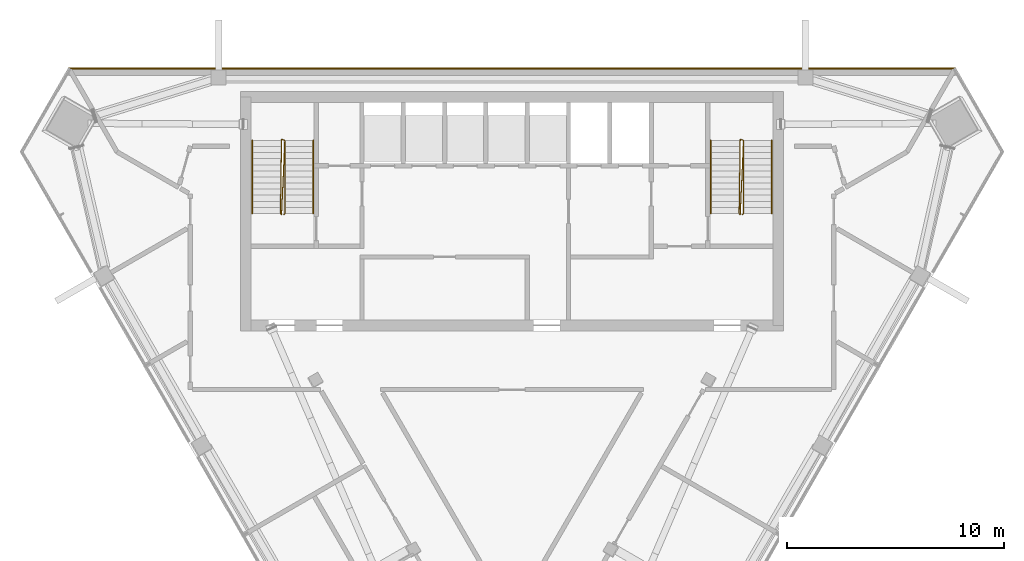
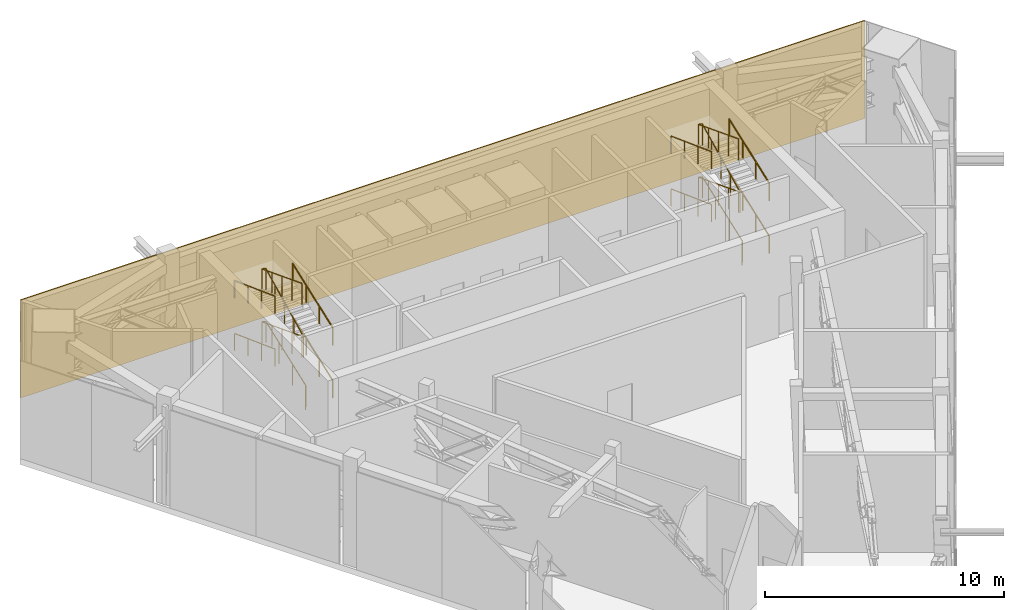
# One storey, part 12 of 13: 10 railings, 1 covering.
"""IFC4 building model written with IfcOpenShell, lengths in metres."""

from ifc_helpers import new_model, si_unit, direction, frame, frame_2d, origin, origin_2d, place, context, subcontext, project, spatial, rectangle, circle, extrude, material, layer, layer_set, type_object, element, save


model = new_model("IFC4")

# Units and contexts
model_context = context("Model", 3, precision=1e-05, world=origin(), true_north=direction((0.0, 1.0)))
body_context = subcontext(model_context, "Body", "Model", "MODEL_VIEW")
ifc_project = project(units=[si_unit("LENGTHUNIT", "METRE"), si_unit("AREAUNIT", "SQUARE_METRE"), si_unit("VOLUMEUNIT", "CUBIC_METRE"), si_unit("PLANEANGLEUNIT", "RADIAN"), si_unit("MASSUNIT", "GRAM", prefix="KILO")], contexts=[model_context])

# Site, building, storey
site_placement = place(None, origin())
site = spatial("IfcSite", under=ifc_project, at=site_placement, CompositionType="ELEMENT")
building_placement = place(site_placement, origin())
building = spatial("IfcBuilding", under=site, at=building_placement, Name="Altiplano Prism Tower", CompositionType="ELEMENT")
storey_placement = place(building_placement, frame((0.0, 0.0, 286.0)))
storey = spatial("IfcBuildingStorey", under=building, at=storey_placement, Name="L74", CompositionType="ELEMENT", Elevation=286.0)

# Railings
ifc_material_1 = material(Name="Steel S355", Category="steel")
railing_type_1 = type_object("IfcRailingType", Name="Stair guard 1100", PredefinedType="GUARDRAIL", material=ifc_material_1)
railing_1_placement = place(storey_placement, frame((74.5, 98.25, 0.0)))
element("IfcRailing", 1, at=railing_1_placement, inside=storey, type_object=railing_type_1, Name="L74 ST1 stair guard 1", PredefinedType="GUARDRAIL", context=body_context, shape_type="SweptSolid", body=[
    extrude(circle(Radius=0.02392578125, at=origin_2d()), frame((0.0, 0.0, 1.076171875), z_axis=(0.398471624337, 0.398471624337, 0.826099708992), x_axis=(-0.707106781187, 0.707106781187, 0.0)), (0.0, 0.0, 1.0), 0.12548828125),
    extrude(circle(Radius=0.02392578125, at=origin_2d()), frame((0.050048828125, 0.050048828125, 1.1796875), z_axis=(0.0, 0.937571951407, 0.347791368401), x_axis=(-1.0, 0.0, 0.0)), (0.0, 0.0, 1.0), 3.58349609375),
    extrude(circle(Radius=0.02392578125, at=origin_2d()), frame((0.050048828125, 3.409912109375, 2.42626953125), z_axis=(-0.948683298051, 0.316227766017, 0.0), x_axis=(-0.316227766017, -0.948683298051, 0.0)), (0.0, 0.0, 1.0), 0.158203125),
    extrude(circle(Radius=0.02392578125, at=origin_2d()), frame((-0.10009765625, 3.4599609375, 2.42626953125), z_axis=(-0.013579238249, -0.929711865806, 0.368037295485), x_axis=(0.999893351539, -0.01460429897, 0.0)), (0.0, 0.0, 1.0), 3.667724609375),
    extrude(circle(Radius=0.02392578125, at=origin_2d()), frame((-0.14990234375, 0.050048828125, 3.77587890625), z_axis=(0.705375805398, -0.708833529934, 0.0), x_axis=(0.708833529934, 0.705375805398, 0.0)), (0.0, 0.0, 1.0), 0.070556640625),
    extrude(circle(Radius=0.02392578125, at=origin_2d()), frame((-0.10009765625, 0.0, 3.77587890625), z_axis=(0.040905914243, 0.928996592253, 0.367820659781), x_axis=(-0.99903198295, 0.043989737919, 0.0)), (0.0, 0.0, 1.0), 3.670654296875),
    extrude(circle(Radius=0.02392578125, at=origin_2d()), frame((0.050048828125, 3.409912109375, 5.1259765625), z_axis=(-0.948683298051, 0.316227766017, 0.0), x_axis=(-0.316227766017, -0.948683298051, 0.0)), (0.0, 0.0, 1.0), 0.158203125),
    extrude(circle(Radius=0.02392578125, at=origin_2d()), frame((-0.10009765625, 3.4599609375, 5.1259765625), z_axis=(-0.013579238249, -0.929711865806, 0.368037295485), x_axis=(0.999893351539, -0.01460429897, 0.0)), (0.0, 0.0, 1.0), 3.667724609375),
    extrude(circle(Radius=0.02099609375, at=origin_2d()), origin(), (0.0, 0.0, 1.0), 1.052001953125),
    extrude(circle(Radius=0.02099609375, at=origin_2d()), frame((0.050048828125, 0.050048828125, 0.103759765625)), (0.0, 0.0, 1.0), 1.052001953125),
    extrude(circle(Radius=0.02099609375, at=origin_2d()), frame((0.050048828125, 1.169921875, 0.519287109375)), (0.0, 0.0, 1.0), 1.052001953125),
    extrude(circle(Radius=0.02099609375, at=origin_2d()), frame((0.050048828125, 2.2900390625, 0.9345703125)), (0.0, 0.0, 1.0), 1.052001953125),
    extrude(circle(Radius=0.02099609375, at=origin_2d()), frame((0.050048828125, 3.409912109375, 1.35009765625)), (0.0, 0.0, 1.0), 1.052001953125),
    extrude(circle(Radius=0.02099609375, at=origin_2d()), frame((-0.10009765625, 3.4599609375, 1.35009765625)), (0.0, 0.0, 1.0), 1.052001953125),
    extrude(circle(Radius=0.02099609375, at=origin_2d()), frame((-0.112548828125, 2.607421875, 1.6875)), (0.0, 0.0, 1.0), 1.052001953125),
    extrude(circle(Radius=0.02099609375, at=origin_2d()), frame((-0.125, 1.7548828125, 2.02490234375)), (0.0, 0.0, 1.0), 1.052001953125),
    extrude(circle(Radius=0.02099609375, at=origin_2d()), frame((-0.137451171875, 0.902587890625, 2.362548828125)), (0.0, 0.0, 1.0), 1.052001953125),
    extrude(circle(Radius=0.02099609375, at=origin_2d()), frame((-0.14990234375, 0.050048828125, 2.699951171875)), (0.0, 0.0, 1.0), 1.052001953125),
    extrude(circle(Radius=0.02099609375, at=origin_2d()), frame((-0.10009765625, 0.0, 2.699951171875)), (0.0, 0.0, 1.0), 1.052001953125),
    extrude(circle(Radius=0.02099609375, at=origin_2d()), frame((-0.0625, 0.8525390625, 3.03759765625)), (0.0, 0.0, 1.0), 1.052001953125),
    extrude(circle(Radius=0.02099609375, at=origin_2d()), frame((-0.02490234375, 1.705078125, 3.375)), (0.0, 0.0, 1.0), 1.052001953125),
    extrude(circle(Radius=0.02099609375, at=origin_2d()), frame((0.012451171875, 2.557373046875, 3.71240234375)), (0.0, 0.0, 1.0), 1.052001953125),
    extrude(circle(Radius=0.02099609375, at=origin_2d()), frame((0.050048828125, 3.409912109375, 4.050048828125)), (0.0, 0.0, 1.0), 1.052001953125),
    extrude(circle(Radius=0.02099609375, at=origin_2d()), frame((-0.10009765625, 3.4599609375, 4.050048828125)), (0.0, 0.0, 1.0), 1.052001953125),
    extrude(circle(Radius=0.02099609375, at=origin_2d()), frame((-0.112548828125, 2.607421875, 4.387451171875)), (0.0, 0.0, 1.0), 1.052001953125),
    extrude(circle(Radius=0.02099609375, at=origin_2d()), frame((-0.125, 1.7548828125, 4.72509765625)), (0.0, 0.0, 1.0), 1.052001953125),
    extrude(circle(Radius=0.02099609375, at=origin_2d()), frame((-0.137451171875, 0.902587890625, 5.0625)), (0.0, 0.0, 1.0), 1.052001953125),
    extrude(circle(Radius=0.02099609375, at=origin_2d()), frame((-0.14990234375, 0.050048828125, 5.39990234375)), (0.0, 0.0, 1.0), 1.052001953125),
])
railing_2_placement = place(storey_placement, frame((95.60009765625, 98.25, 0.0)))
element("IfcRailing", 2, at=railing_2_placement, inside=storey, type_object=railing_type_1, Name="L74 ST2 stair guard 1", PredefinedType="GUARDRAIL", context=body_context, shape_type="SweptSolid", body=[
    extrude(circle(Radius=0.02392578125, at=origin_2d()), frame((0.0, 0.0, 1.076171875), z_axis=(0.396834591399, 0.398779859004, 0.826738732081), x_axis=(-0.708833529934, 0.705375805398, 0.0)), (0.0, 0.0, 1.0), 0.12548828125),
    extrude(circle(Radius=0.02392578125, at=origin_2d()), frame((0.0498046875, 0.050048828125, 1.1796875), z_axis=(0.0, 0.937571951407, 0.347791368401), x_axis=(-1.0, 0.0, 0.0)), (0.0, 0.0, 1.0), 3.58349609375),
    extrude(circle(Radius=0.02392578125, at=origin_2d()), frame((0.0498046875, 3.409912109375, 2.42626953125), z_axis=(-0.948528701346, 0.316691178788, 0.0), x_axis=(-0.316691178788, -0.948528701346, 0.0)), (0.0, 0.0, 1.0), 0.157958984375),
    extrude(circle(Radius=0.02392578125, at=origin_2d()), frame((-0.10009765625, 3.4599609375, 2.42626953125), z_axis=(-0.013645790778, -0.92971102338, 0.368036962001), x_axis=(0.999892303572, -0.014675873289, 0.0)), (0.0, 0.0, 1.0), 3.667724609375),
    extrude(circle(Radius=0.02392578125, at=origin_2d()), frame((-0.150146484375, 0.050048828125, 3.77587890625), z_axis=(0.707106781187, -0.707106781187, 0.0), x_axis=(0.707106781187, 0.707106781187, 0.0)), (0.0, 0.0, 1.0), 0.07080078125),
    extrude(circle(Radius=0.02392578125, at=origin_2d()), frame((-0.10009765625, 0.0, 3.77587890625), z_axis=(0.040839511588, 0.928999117825, 0.367821659739), x_axis=(-0.999035123863, 0.043918347967, 0.0)), (0.0, 0.0, 1.0), 3.67041015625),
    extrude(circle(Radius=0.02392578125, at=origin_2d()), frame((0.0498046875, 3.409912109375, 5.1259765625), z_axis=(-0.948528701346, 0.316691178788, 0.0), x_axis=(-0.316691178788, -0.948528701346, 0.0)), (0.0, 0.0, 1.0), 0.157958984375),
    extrude(circle(Radius=0.02392578125, at=origin_2d()), frame((-0.10009765625, 3.4599609375, 5.1259765625), z_axis=(-0.013645790778, -0.92971102338, 0.368036962001), x_axis=(0.999892303572, -0.014675873289, 0.0)), (0.0, 0.0, 1.0), 3.667724609375),
    extrude(circle(Radius=0.02099609375, at=origin_2d()), origin(), (0.0, 0.0, 1.0), 1.052001953125),
    extrude(circle(Radius=0.02099609375, at=origin_2d()), frame((0.0498046875, 0.050048828125, 0.103759765625)), (0.0, 0.0, 1.0), 1.052001953125),
    extrude(circle(Radius=0.02099609375, at=origin_2d()), frame((0.0498046875, 1.169921875, 0.519287109375)), (0.0, 0.0, 1.0), 1.052001953125),
    extrude(circle(Radius=0.02099609375, at=origin_2d()), frame((0.0498046875, 2.2900390625, 0.9345703125)), (0.0, 0.0, 1.0), 1.052001953125),
    extrude(circle(Radius=0.02099609375, at=origin_2d()), frame((0.0498046875, 3.409912109375, 1.35009765625)), (0.0, 0.0, 1.0), 1.052001953125),
    extrude(circle(Radius=0.02099609375, at=origin_2d()), frame((-0.10009765625, 3.4599609375, 1.35009765625)), (0.0, 0.0, 1.0), 1.052001953125),
    extrude(circle(Radius=0.02099609375, at=origin_2d()), frame((-0.112548828125, 2.607421875, 1.6875)), (0.0, 0.0, 1.0), 1.052001953125),
    extrude(circle(Radius=0.02099609375, at=origin_2d()), frame((-0.125, 1.7548828125, 2.02490234375)), (0.0, 0.0, 1.0), 1.052001953125),
    extrude(circle(Radius=0.02099609375, at=origin_2d()), frame((-0.1376953125, 0.902587890625, 2.362548828125)), (0.0, 0.0, 1.0), 1.052001953125),
    extrude(circle(Radius=0.02099609375, at=origin_2d()), frame((-0.150146484375, 0.050048828125, 2.699951171875)), (0.0, 0.0, 1.0), 1.052001953125),
    extrude(circle(Radius=0.02099609375, at=origin_2d()), frame((-0.10009765625, 0.0, 2.699951171875)), (0.0, 0.0, 1.0), 1.052001953125),
    extrude(circle(Radius=0.02099609375, at=origin_2d()), frame((-0.0625, 0.8525390625, 3.03759765625)), (0.0, 0.0, 1.0), 1.052001953125),
    extrude(circle(Radius=0.02099609375, at=origin_2d()), frame((-0.025146484375, 1.705078125, 3.375)), (0.0, 0.0, 1.0), 1.052001953125),
    extrude(circle(Radius=0.02099609375, at=origin_2d()), frame((0.01220703125, 2.557373046875, 3.71240234375)), (0.0, 0.0, 1.0), 1.052001953125),
    extrude(circle(Radius=0.02099609375, at=origin_2d()), frame((0.0498046875, 3.409912109375, 4.050048828125)), (0.0, 0.0, 1.0), 1.052001953125),
    extrude(circle(Radius=0.02099609375, at=origin_2d()), frame((-0.10009765625, 3.4599609375, 4.050048828125)), (0.0, 0.0, 1.0), 1.052001953125),
    extrude(circle(Radius=0.02099609375, at=origin_2d()), frame((-0.112548828125, 2.607421875, 4.387451171875)), (0.0, 0.0, 1.0), 1.052001953125),
    extrude(circle(Radius=0.02099609375, at=origin_2d()), frame((-0.125, 1.7548828125, 4.72509765625)), (0.0, 0.0, 1.0), 1.052001953125),
    extrude(circle(Radius=0.02099609375, at=origin_2d()), frame((-0.1376953125, 0.902587890625, 5.0625)), (0.0, 0.0, 1.0), 1.052001953125),
    extrude(circle(Radius=0.02099609375, at=origin_2d()), frame((-0.150146484375, 0.050048828125, 5.39990234375)), (0.0, 0.0, 1.0), 1.052001953125),
])
railing_type_2 = type_object("IfcRailingType", Name="Stair handrail 900", PredefinedType="HANDRAIL", material=ifc_material_1)
railing_3_placement = place(storey_placement, frame((75.85009765625, 98.300048828125, 0.103759765625)))
element("IfcRailing", 3, at=railing_3_placement, inside=storey, type_object=railing_type_2, Name="L74 ST1 stair handrail 1", PredefinedType="HANDRAIL", context=body_context, shape_type="SweptSolid", body=[
    extrude(circle(Radius=0.02392578125, at=origin_2d()), frame((0.0, 0.0, 0.8759765625), z_axis=(0.0, 0.937571951407, 0.347791368401), x_axis=(-1.0, 0.0, 0.0)), (0.0, 0.0, 1.0), 3.58349609375),
    extrude(circle(Radius=0.02099609375, at=origin_2d()), origin(), (0.0, 0.0, 1.0), 0.851806640625),
    extrude(circle(Radius=0.02099609375, at=origin_2d()), frame((0.0, 1.119873046875, 0.41552734375)), (0.0, 0.0, 1.0), 0.851806640625),
    extrude(circle(Radius=0.02099609375, at=origin_2d()), frame((0.0, 2.239990234375, 0.830810546875)), (0.0, 0.0, 1.0), 0.851806640625),
    extrude(circle(Radius=0.02099609375, at=origin_2d()), frame((0.0, 3.35986328125, 1.246337890625)), (0.0, 0.0, 1.0), 0.851806640625),
])
railing_4_placement = place(storey_placement, frame((73.050048828125, 101.659912109375, 1.453857421875)))
element("IfcRailing", 4, at=railing_4_placement, inside=storey, type_object=railing_type_2, Name="L74 ST1 stair handrail 2", PredefinedType="HANDRAIL", context=body_context, shape_type="SweptSolid", body=[
    extrude(circle(Radius=0.02392578125, at=origin_2d()), frame((0.0, 0.0, 0.8759765625), z_axis=(0.0, -0.937594165028, 0.347731479313), x_axis=(1.0, 0.0, 0.0)), (0.0, 0.0, 1.0), 3.58349609375),
    extrude(circle(Radius=0.02099609375, at=origin_2d()), origin(), (0.0, 0.0, 1.0), 0.851806640625),
    extrude(circle(Radius=0.02099609375, at=origin_2d()), frame((0.0, -1.119873046875, 0.415283203125)), (0.0, 0.0, 1.0), 0.851806640625),
    extrude(circle(Radius=0.02099609375, at=origin_2d()), frame((0.0, -2.239990234375, 0.830810546875)), (0.0, 0.0, 1.0), 0.851806640625),
    extrude(circle(Radius=0.02099609375, at=origin_2d()), frame((0.0, -3.35986328125, 1.24609375)), (0.0, 0.0, 1.0), 0.851806640625),
])
railing_5_placement = place(storey_placement, frame((75.85009765625, 98.300048828125, 2.803955078125)))
element("IfcRailing", 5, at=railing_5_placement, inside=storey, type_object=railing_type_2, Name="L74 ST1 stair handrail 3", PredefinedType="HANDRAIL", context=body_context, shape_type="SweptSolid", body=[
    extrude(circle(Radius=0.02392578125, at=origin_2d()), frame((0.0, 0.0, 0.8759765625), z_axis=(0.0, 0.937594165028, 0.347731479313), x_axis=(-1.0, 0.0, 0.0)), (0.0, 0.0, 1.0), 3.58349609375),
    extrude(circle(Radius=0.02099609375, at=origin_2d()), origin(), (0.0, 0.0, 1.0), 0.851806640625),
    extrude(circle(Radius=0.02099609375, at=origin_2d()), frame((0.0, 1.119873046875, 0.415283203125)), (0.0, 0.0, 1.0), 0.851806640625),
    extrude(circle(Radius=0.02099609375, at=origin_2d()), frame((0.0, 2.239990234375, 0.830810546875)), (0.0, 0.0, 1.0), 0.851806640625),
    extrude(circle(Radius=0.02099609375, at=origin_2d()), frame((0.0, 3.35986328125, 1.24609375)), (0.0, 0.0, 1.0), 0.851806640625),
])
railing_6_placement = place(storey_placement, frame((73.050048828125, 101.659912109375, 4.15380859375)))
element("IfcRailing", 6, at=railing_6_placement, inside=storey, type_object=railing_type_2, Name="L74 ST1 stair handrail 4", PredefinedType="HANDRAIL", context=body_context, shape_type="SweptSolid", body=[
    extrude(circle(Radius=0.02392578125, at=origin_2d()), frame((0.0, 0.0, 0.8759765625), z_axis=(0.0, -0.937594165028, 0.347731479313), x_axis=(1.0, 0.0, 0.0)), (0.0, 0.0, 1.0), 3.58349609375),
    extrude(circle(Radius=0.02099609375, at=origin_2d()), origin(), (0.0, 0.0, 1.0), 0.851806640625),
    extrude(circle(Radius=0.02099609375, at=origin_2d()), frame((0.0, -1.119873046875, 0.415283203125)), (0.0, 0.0, 1.0), 0.851806640625),
    extrude(circle(Radius=0.02099609375, at=origin_2d()), frame((0.0, -2.239990234375, 0.830810546875)), (0.0, 0.0, 1.0), 0.851806640625),
    extrude(circle(Radius=0.02099609375, at=origin_2d()), frame((0.0, -3.35986328125, 1.24609375)), (0.0, 0.0, 1.0), 0.851806640625),
])
railing_7_placement = place(storey_placement, frame((96.949951171875, 98.300048828125, 0.103759765625)))
element("IfcRailing", 7, at=railing_7_placement, inside=storey, type_object=railing_type_2, Name="L74 ST2 stair handrail 1", PredefinedType="HANDRAIL", context=body_context, shape_type="SweptSolid", body=[
    extrude(circle(Radius=0.02392578125, at=origin_2d()), frame((0.0, 0.0, 0.8759765625), z_axis=(0.0, 0.937571951407, 0.347791368401), x_axis=(-1.0, 0.0, 0.0)), (0.0, 0.0, 1.0), 3.58349609375),
    extrude(circle(Radius=0.02099609375, at=origin_2d()), origin(), (0.0, 0.0, 1.0), 0.851806640625),
    extrude(circle(Radius=0.02099609375, at=origin_2d()), frame((0.0, 1.119873046875, 0.41552734375)), (0.0, 0.0, 1.0), 0.851806640625),
    extrude(circle(Radius=0.02099609375, at=origin_2d()), frame((0.0, 2.239990234375, 0.830810546875)), (0.0, 0.0, 1.0), 0.851806640625),
    extrude(circle(Radius=0.02099609375, at=origin_2d()), frame((0.0, 3.35986328125, 1.246337890625)), (0.0, 0.0, 1.0), 0.851806640625),
])
railing_8_placement = place(storey_placement, frame((94.14990234375, 101.659912109375, 1.453857421875)))
element("IfcRailing", 8, at=railing_8_placement, inside=storey, type_object=railing_type_2, Name="L74 ST2 stair handrail 2", PredefinedType="HANDRAIL", context=body_context, shape_type="SweptSolid", body=[
    extrude(circle(Radius=0.02392578125, at=origin_2d()), frame((0.0, 0.0, 0.8759765625), z_axis=(0.0, -0.937594165028, 0.347731479313), x_axis=(1.0, 0.0, 0.0)), (0.0, 0.0, 1.0), 3.58349609375),
    extrude(circle(Radius=0.02099609375, at=origin_2d()), origin(), (0.0, 0.0, 1.0), 0.851806640625),
    extrude(circle(Radius=0.02099609375, at=origin_2d()), frame((0.0, -1.119873046875, 0.415283203125)), (0.0, 0.0, 1.0), 0.851806640625),
    extrude(circle(Radius=0.02099609375, at=origin_2d()), frame((0.0, -2.239990234375, 0.830810546875)), (0.0, 0.0, 1.0), 0.851806640625),
    extrude(circle(Radius=0.02099609375, at=origin_2d()), frame((0.0, -3.35986328125, 1.24609375)), (0.0, 0.0, 1.0), 0.851806640625),
])
railing_9_placement = place(storey_placement, frame((96.949951171875, 98.300048828125, 2.803955078125)))
element("IfcRailing", 9, at=railing_9_placement, inside=storey, type_object=railing_type_2, Name="L74 ST2 stair handrail 3", PredefinedType="HANDRAIL", context=body_context, shape_type="SweptSolid", body=[
    extrude(circle(Radius=0.02392578125, at=origin_2d()), frame((0.0, 0.0, 0.8759765625), z_axis=(0.0, 0.937594165028, 0.347731479313), x_axis=(-1.0, 0.0, 0.0)), (0.0, 0.0, 1.0), 3.58349609375),
    extrude(circle(Radius=0.02099609375, at=origin_2d()), origin(), (0.0, 0.0, 1.0), 0.851806640625),
    extrude(circle(Radius=0.02099609375, at=origin_2d()), frame((0.0, 1.119873046875, 0.415283203125)), (0.0, 0.0, 1.0), 0.851806640625),
    extrude(circle(Radius=0.02099609375, at=origin_2d()), frame((0.0, 2.239990234375, 0.830810546875)), (0.0, 0.0, 1.0), 0.851806640625),
    extrude(circle(Radius=0.02099609375, at=origin_2d()), frame((0.0, 3.35986328125, 1.24609375)), (0.0, 0.0, 1.0), 0.851806640625),
])
railing_10_placement = place(storey_placement, frame((94.14990234375, 101.659912109375, 4.15380859375)))
element("IfcRailing", 10, at=railing_10_placement, inside=storey, type_object=railing_type_2, Name="L74 ST2 stair handrail 4", PredefinedType="HANDRAIL", context=body_context, shape_type="SweptSolid", body=[
    extrude(circle(Radius=0.02392578125, at=origin_2d()), frame((0.0, 0.0, 0.8759765625), z_axis=(0.0, -0.937594165028, 0.347731479313), x_axis=(1.0, 0.0, 0.0)), (0.0, 0.0, 1.0), 3.58349609375),
    extrude(circle(Radius=0.02099609375, at=origin_2d()), origin(), (0.0, 0.0, 1.0), 0.851806640625),
    extrude(circle(Radius=0.02099609375, at=origin_2d()), frame((0.0, -1.119873046875, 0.415283203125)), (0.0, 0.0, 1.0), 0.851806640625),
    extrude(circle(Radius=0.02099609375, at=origin_2d()), frame((0.0, -2.239990234375, 0.830810546875)), (0.0, 0.0, 1.0), 0.851806640625),
    extrude(circle(Radius=0.02099609375, at=origin_2d()), frame((0.0, -3.35986328125, 1.24609375)), (0.0, 0.0, 1.0), 0.851806640625),
])

# Covering
ifc_material_2 = material(Name="Warm limestone cast stone", Category="masonry")
ifc_layer = layer(ifc_material_2, 0.06005859375)
ifc_layer_set = layer_set([ifc_layer], Name="Warm limestone cast stone")
covering_type = type_object("IfcCoveringType", Name="Stone cladding 60", PredefinedType="CLADDING", material=ifc_layer_set)
covering_placement = place(storey_placement, frame((64.598876953125, 104.969970703125, 0.0), z_axis=(0.0, 0.0, 1.0), x_axis=(1.0, 0.0, 0.0)))
element("IfcCovering", 11, at=covering_placement, inside=storey, type_object=covering_type, Name="Stone cladding north face L74", PredefinedType="CLADDING", context=body_context, shape_type="SweptSolid", body=[
    extrude(rectangle(XDim=40.80224609375, YDim=0.06005859375, at=frame_2d((20.401123046875, 0.0))), origin(), (0.0, 0.0, 1.0), 5.0),
])

save(model, "model.ifc")
